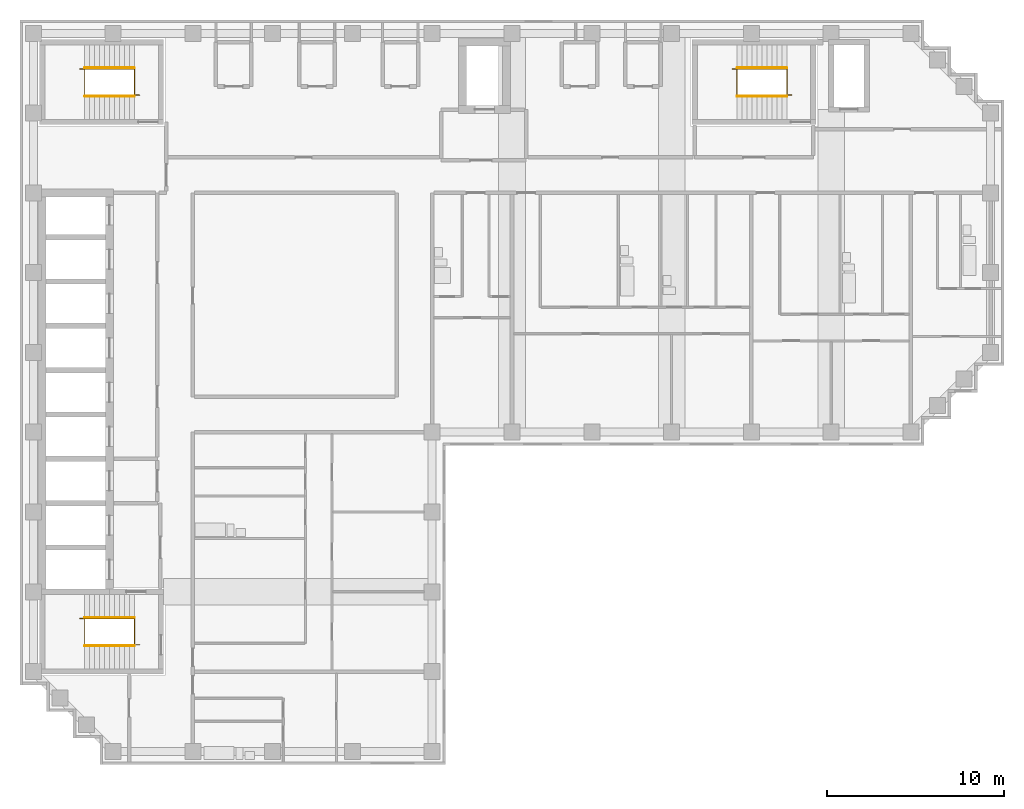
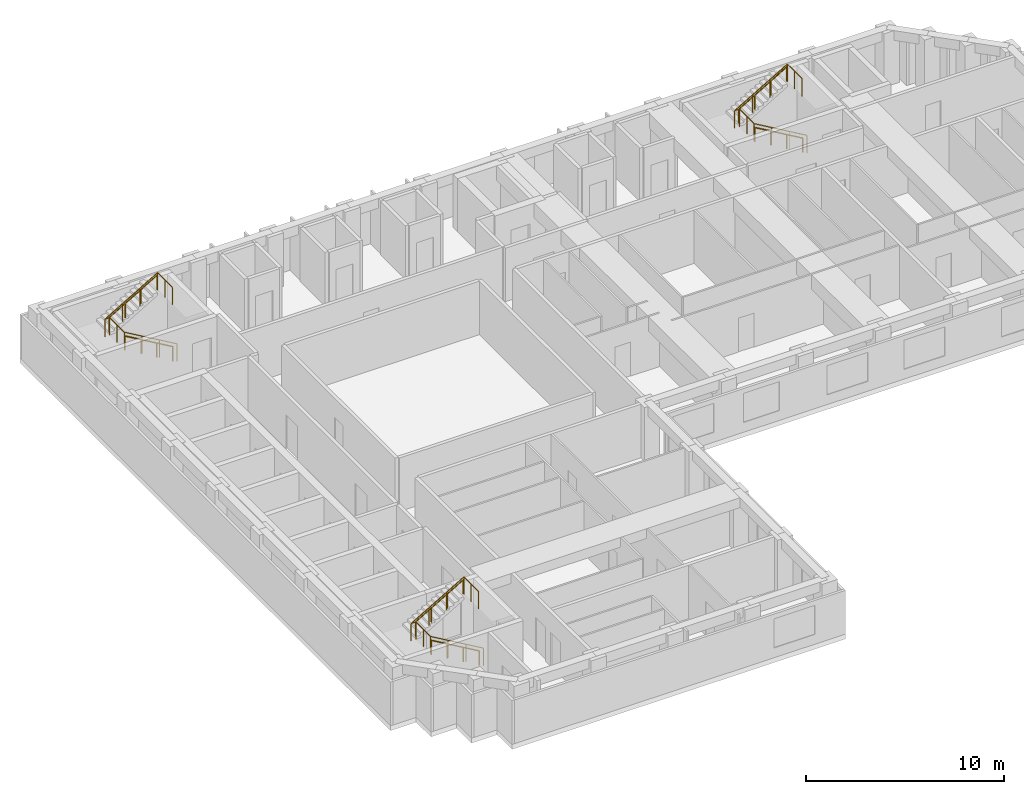
# One storey, part 8 of 9: 9 railings.
"""IFC4 building model written with IfcOpenShell, lengths in metres."""

from ifc_helpers import new_model, si_unit, direction, frame, origin, origin_2d, place, context, subcontext, project, spatial, circle, extrude, material, type_object, element, save


model = new_model("IFC4")

# Units and contexts
model_context = context("Model", 3, precision=1e-05, world=origin(), true_north=direction((0.0, 1.0)))
body_context = subcontext(model_context, "Body", "Model", "MODEL_VIEW")
ifc_project = project(units=[si_unit("LENGTHUNIT", "METRE"), si_unit("AREAUNIT", "SQUARE_METRE"), si_unit("VOLUMEUNIT", "CUBIC_METRE"), si_unit("PLANEANGLEUNIT", "RADIAN"), si_unit("MASSUNIT", "GRAM", prefix="KILO")], contexts=[model_context])

# Site, building, storey
site_placement = place(None, origin())
site = spatial("IfcSite", under=ifc_project, at=site_placement, CompositionType="ELEMENT")
building_placement = place(site_placement, origin())
building = spatial("IfcBuilding", under=site, at=building_placement, Name="Firuza Court", CompositionType="ELEMENT")
storey_placement = place(building_placement, frame((0.0, 0.0, 218.60009765625)))
storey = spatial("IfcBuildingStorey", under=building, at=storey_placement, Name="L56", CompositionType="ELEMENT", Elevation=218.60009765625)

# Railings
ifc_material_1 = material(Name="Steel S355", Category="steel")
railing_type_1 = type_object("IfcRailingType", Name="Handrail 900", PredefinedType="HANDRAIL", material=ifc_material_1)
railing_1_placement = place(storey_placement, frame((42.5, 54.949951171875, 0.16357421875)))
element("IfcRailing", 1, at=railing_1_placement, inside=storey, type_object=railing_type_1, Name="Handrail S1 flight 1", PredefinedType="HANDRAIL", context=body_context, shape_type="SweptSolid", body=[
    extrude(circle(Radius=0.02490234375, at=origin_2d()), frame((0.0, 0.0, 0.875), z_axis=(-0.863393664356, 0.0, 0.504530851732), x_axis=(0.0, -1.0, 0.0)), (0.0, 0.0, 1.0), 3.2431640625),
    extrude(circle(Radius=0.02001953125, at=origin_2d()), origin(), (0.0, 0.0, 1.0), 0.849853515625),
    extrude(circle(Radius=0.02001953125, at=origin_2d()), frame((-0.933349609375, 0.0, 0.54541015625)), (0.0, 0.0, 1.0), 0.849853515625),
    extrude(circle(Radius=0.02001953125, at=origin_2d()), frame((-1.86669921875, 0.0, 1.0908203125)), (0.0, 0.0, 1.0), 0.849853515625),
    extrude(circle(Radius=0.02001953125, at=origin_2d()), frame((-2.800048828125, 0.0, 1.63623046875)), (0.0, 0.0, 1.0), 0.849853515625),
])
railing_2_placement = place(storey_placement, frame((39.699951171875, 56.550048828125, 1.963623046875)))
element("IfcRailing", 2, at=railing_2_placement, inside=storey, type_object=railing_type_1, Name="Handrail S1 flight 2", PredefinedType="HANDRAIL", context=body_context, shape_type="SweptSolid", body=[
    extrude(circle(Radius=0.02490234375, at=origin_2d()), frame((0.0, 0.0, 0.875), z_axis=(0.863393664356, 0.0, 0.504530851732), x_axis=(0.0, 1.0, 0.0)), (0.0, 0.0, 1.0), 3.2431640625),
    extrude(circle(Radius=0.02001953125, at=origin_2d()), origin(), (0.0, 0.0, 1.0), 0.849853515625),
    extrude(circle(Radius=0.02001953125, at=origin_2d()), frame((0.933349609375, 0.0, 0.54541015625)), (0.0, 0.0, 1.0), 0.849853515625),
    extrude(circle(Radius=0.02001953125, at=origin_2d()), frame((1.86669921875, 0.0, 1.0908203125)), (0.0, 0.0, 1.0), 0.849853515625),
    extrude(circle(Radius=0.02001953125, at=origin_2d()), frame((2.800048828125, 0.0, 1.63623046875)), (0.0, 0.0, 1.0), 0.849853515625),
])
railing_3_placement = place(storey_placement, frame((5.699951171875, 23.949951171875, 0.16357421875)))
element("IfcRailing", 3, at=railing_3_placement, inside=storey, type_object=railing_type_1, Name="Handrail S2 flight 1", PredefinedType="HANDRAIL", context=body_context, shape_type="SweptSolid", body=[
    extrude(circle(Radius=0.02490234375, at=origin_2d()), frame((0.0, 0.0, 0.875), z_axis=(-0.863393664356, 0.0, 0.504530851732), x_axis=(0.0, -1.0, 0.0)), (0.0, 0.0, 1.0), 3.2431640625),
    extrude(circle(Radius=0.02001953125, at=origin_2d()), origin(), (0.0, 0.0, 1.0), 0.849853515625),
    extrude(circle(Radius=0.02001953125, at=origin_2d()), frame((-0.933349609375, 0.0, 0.54541015625)), (0.0, 0.0, 1.0), 0.849853515625),
    extrude(circle(Radius=0.02001953125, at=origin_2d()), frame((-1.86669921875, 0.0, 1.0908203125)), (0.0, 0.0, 1.0), 0.849853515625),
    extrude(circle(Radius=0.02001953125, at=origin_2d()), frame((-2.800048828125, 0.0, 1.63623046875)), (0.0, 0.0, 1.0), 0.849853515625),
])
railing_4_placement = place(storey_placement, frame((2.89990234375, 25.550048828125, 1.963623046875)))
element("IfcRailing", 4, at=railing_4_placement, inside=storey, type_object=railing_type_1, Name="Handrail S2 flight 2", PredefinedType="HANDRAIL", context=body_context, shape_type="SweptSolid", body=[
    extrude(circle(Radius=0.02490234375, at=origin_2d()), frame((0.0, 0.0, 0.875), z_axis=(0.863393664356, 0.0, 0.504530851732), x_axis=(0.0, 1.0, 0.0)), (0.0, 0.0, 1.0), 3.2431640625),
    extrude(circle(Radius=0.02001953125, at=origin_2d()), origin(), (0.0, 0.0, 1.0), 0.849853515625),
    extrude(circle(Radius=0.02001953125, at=origin_2d()), frame((0.933349609375, 0.0, 0.54541015625)), (0.0, 0.0, 1.0), 0.849853515625),
    extrude(circle(Radius=0.02001953125, at=origin_2d()), frame((1.86669921875, 0.0, 1.0908203125)), (0.0, 0.0, 1.0), 0.849853515625),
    extrude(circle(Radius=0.02001953125, at=origin_2d()), frame((2.800048828125, 0.0, 1.63623046875)), (0.0, 0.0, 1.0), 0.849853515625),
])
railing_5_placement = place(storey_placement, frame((5.699951171875, 54.949951171875, 0.16357421875)))
element("IfcRailing", 5, at=railing_5_placement, inside=storey, type_object=railing_type_1, Name="Handrail S3 flight 1", PredefinedType="HANDRAIL", context=body_context, shape_type="SweptSolid", body=[
    extrude(circle(Radius=0.02490234375, at=origin_2d()), frame((0.0, 0.0, 0.875), z_axis=(-0.863393664356, 0.0, 0.504530851732), x_axis=(0.0, -1.0, 0.0)), (0.0, 0.0, 1.0), 3.2431640625),
    extrude(circle(Radius=0.02001953125, at=origin_2d()), origin(), (0.0, 0.0, 1.0), 0.849853515625),
    extrude(circle(Radius=0.02001953125, at=origin_2d()), frame((-0.933349609375, 0.0, 0.54541015625)), (0.0, 0.0, 1.0), 0.849853515625),
    extrude(circle(Radius=0.02001953125, at=origin_2d()), frame((-1.86669921875, 0.0, 1.0908203125)), (0.0, 0.0, 1.0), 0.849853515625),
    extrude(circle(Radius=0.02001953125, at=origin_2d()), frame((-2.800048828125, 0.0, 1.63623046875)), (0.0, 0.0, 1.0), 0.849853515625),
])
railing_6_placement = place(storey_placement, frame((2.89990234375, 56.550048828125, 1.963623046875)))
element("IfcRailing", 6, at=railing_6_placement, inside=storey, type_object=railing_type_1, Name="Handrail S3 flight 2", PredefinedType="HANDRAIL", context=body_context, shape_type="SweptSolid", body=[
    extrude(circle(Radius=0.02490234375, at=origin_2d()), frame((0.0, 0.0, 0.875), z_axis=(0.863393664356, 0.0, 0.504530851732), x_axis=(0.0, 1.0, 0.0)), (0.0, 0.0, 1.0), 3.2431640625),
    extrude(circle(Radius=0.02001953125, at=origin_2d()), origin(), (0.0, 0.0, 1.0), 0.849853515625),
    extrude(circle(Radius=0.02001953125, at=origin_2d()), frame((0.933349609375, 0.0, 0.54541015625)), (0.0, 0.0, 1.0), 0.849853515625),
    extrude(circle(Radius=0.02001953125, at=origin_2d()), frame((1.86669921875, 0.0, 1.0908203125)), (0.0, 0.0, 1.0), 0.849853515625),
    extrude(circle(Radius=0.02001953125, at=origin_2d()), frame((2.800048828125, 0.0, 1.63623046875)), (0.0, 0.0, 1.0), 0.849853515625),
])
ifc_material_2 = material(Name="Steel S355", Category="steel")
railing_type_2 = type_object("IfcRailingType", Name="Stair guard 1100", PredefinedType="GUARDRAIL", material=ifc_material_2)
railing_7_placement = place(storey_placement, frame((42.780029296875, 55.010009765625, 0.0)))
element("IfcRailing", 7, at=railing_7_placement, inside=storey, type_object=railing_type_2, Name="Stair well guard S1", PredefinedType="GUARDRAIL", context=body_context, shape_type="SweptSolid", body=[
    extrude(circle(Radius=0.02490234375, at=origin_2d()), frame((0.0, 0.0, 1.0751953125), z_axis=(-0.863401368682, 0.0, 0.504517667242), x_axis=(0.0, -1.0, 0.0)), (0.0, 0.0, 1.0), 3.5673828125),
    extrude(circle(Radius=0.02490234375, at=origin_2d()), frame((-3.080078125, 0.0, 2.875), z_axis=(0.0, 1.0, 0.0), x_axis=(-1.0, 0.0, 0.0)), (0.0, 0.0, 1.0), 1.47998046875),
    extrude(circle(Radius=0.02490234375, at=origin_2d()), frame((-3.080078125, 1.47998046875, 2.875), z_axis=(-1.0, 0.0, 0.0), x_axis=(0.0, -1.0, 0.0)), (0.0, 0.0, 1.0), 0.280029296875),
    extrude(circle(Radius=0.02490234375, at=origin_2d()), frame((-3.360107421875, 1.47998046875, 2.875), z_axis=(0.863371556955, 0.0, 0.504568681787), x_axis=(0.0, 1.0, 0.0)), (0.0, 0.0, 1.0), 3.5673828125),
    extrude(circle(Radius=0.02490234375, at=origin_2d()), frame((-0.280029296875, 1.47998046875, 4.6748046875), z_axis=(0.0, -1.0, 0.0), x_axis=(1.0, 0.0, 0.0)), (0.0, 0.0, 1.0), 1.47998046875),
    extrude(circle(Radius=0.02490234375, at=origin_2d()), origin(), (0.0, 0.0, 1.0), 1.050048828125),
    extrude(circle(Radius=0.02490234375, at=origin_2d()), frame((-1.026611328125, 0.0, 0.599853515625)), (0.0, 0.0, 1.0), 1.050048828125),
    extrude(circle(Radius=0.02490234375, at=origin_2d()), frame((-2.053466796875, 0.0, 1.199951171875)), (0.0, 0.0, 1.0), 1.050048828125),
    extrude(circle(Radius=0.02490234375, at=origin_2d()), frame((-3.080078125, 0.0, 1.7998046875)), (0.0, 0.0, 1.0), 1.050048828125),
    extrude(circle(Radius=0.02490234375, at=origin_2d()), frame((-3.080078125, 0.739990234375, 1.7998046875)), (0.0, 0.0, 1.0), 1.050048828125),
    extrude(circle(Radius=0.02490234375, at=origin_2d()), frame((-3.080078125, 1.47998046875, 1.7998046875)), (0.0, 0.0, 1.0), 1.050048828125),
    extrude(circle(Radius=0.02490234375, at=origin_2d()), frame((-3.360107421875, 1.47998046875, 1.7998046875)), (0.0, 0.0, 1.0), 1.050048828125),
    extrude(circle(Radius=0.02490234375, at=origin_2d()), frame((-2.33349609375, 1.47998046875, 2.39990234375)), (0.0, 0.0, 1.0), 1.050048828125),
    extrude(circle(Radius=0.02490234375, at=origin_2d()), frame((-1.306640625, 1.47998046875, 2.999755859375)), (0.0, 0.0, 1.0), 1.050048828125),
    extrude(circle(Radius=0.02490234375, at=origin_2d()), frame((-0.280029296875, 1.47998046875, 3.599853515625)), (0.0, 0.0, 1.0), 1.050048828125),
    extrude(circle(Radius=0.02490234375, at=origin_2d()), frame((-0.280029296875, 0.739990234375, 3.599853515625)), (0.0, 0.0, 1.0), 1.050048828125),
    extrude(circle(Radius=0.02490234375, at=origin_2d()), frame((-0.280029296875, 0.0, 3.599853515625)), (0.0, 0.0, 1.0), 1.050048828125),
])
railing_8_placement = place(storey_placement, frame((5.97998046875, 24.010009765625, 0.0)))
element("IfcRailing", 8, at=railing_8_placement, inside=storey, type_object=railing_type_2, Name="Stair well guard S2", PredefinedType="GUARDRAIL", context=body_context, shape_type="SweptSolid", body=[
    extrude(circle(Radius=0.02490234375, at=origin_2d()), frame((0.0, 0.0, 1.0751953125), z_axis=(-0.863401368682, 0.0, 0.504517667242), x_axis=(0.0, -1.0, 0.0)), (0.0, 0.0, 1.0), 3.5673828125),
    extrude(circle(Radius=0.02490234375, at=origin_2d()), frame((-3.080078125, 0.0, 2.875), z_axis=(0.0, 1.0, 0.0), x_axis=(-1.0, 0.0, 0.0)), (0.0, 0.0, 1.0), 1.47998046875),
    extrude(circle(Radius=0.02490234375, at=origin_2d()), frame((-3.080078125, 1.47998046875, 2.875), z_axis=(-1.0, 0.0, 0.0), x_axis=(0.0, -1.0, 0.0)), (0.0, 0.0, 1.0), 0.27978515625),
    extrude(circle(Radius=0.02490234375, at=origin_2d()), frame((-3.35986328125, 1.47998046875, 2.875), z_axis=(0.863354132664, 0.0, 0.504598495452), x_axis=(0.0, 1.0, 0.0)), (0.0, 0.0, 1.0), 3.5673828125),
    extrude(circle(Radius=0.02490234375, at=origin_2d()), frame((-0.280029296875, 1.47998046875, 4.6748046875), z_axis=(0.0, -1.0, 0.0), x_axis=(1.0, 0.0, 0.0)), (0.0, 0.0, 1.0), 1.47998046875),
    extrude(circle(Radius=0.02490234375, at=origin_2d()), origin(), (0.0, 0.0, 1.0), 1.050048828125),
    extrude(circle(Radius=0.02490234375, at=origin_2d()), frame((-1.026611328125, 0.0, 0.599853515625)), (0.0, 0.0, 1.0), 1.050048828125),
    extrude(circle(Radius=0.02490234375, at=origin_2d()), frame((-2.053466796875, 0.0, 1.199951171875)), (0.0, 0.0, 1.0), 1.050048828125),
    extrude(circle(Radius=0.02490234375, at=origin_2d()), frame((-3.080078125, 0.0, 1.7998046875)), (0.0, 0.0, 1.0), 1.050048828125),
    extrude(circle(Radius=0.02490234375, at=origin_2d()), frame((-3.080078125, 0.739990234375, 1.7998046875)), (0.0, 0.0, 1.0), 1.050048828125),
    extrude(circle(Radius=0.02490234375, at=origin_2d()), frame((-3.080078125, 1.47998046875, 1.7998046875)), (0.0, 0.0, 1.0), 1.050048828125),
    extrude(circle(Radius=0.02490234375, at=origin_2d()), frame((-3.35986328125, 1.47998046875, 1.7998046875)), (0.0, 0.0, 1.0), 1.050048828125),
    extrude(circle(Radius=0.02490234375, at=origin_2d()), frame((-2.333251953125, 1.47998046875, 2.39990234375)), (0.0, 0.0, 1.0), 1.050048828125),
    extrude(circle(Radius=0.02490234375, at=origin_2d()), frame((-1.306640625, 1.47998046875, 2.999755859375)), (0.0, 0.0, 1.0), 1.050048828125),
    extrude(circle(Radius=0.02490234375, at=origin_2d()), frame((-0.280029296875, 1.47998046875, 3.599853515625)), (0.0, 0.0, 1.0), 1.050048828125),
    extrude(circle(Radius=0.02490234375, at=origin_2d()), frame((-0.280029296875, 0.739990234375, 3.599853515625)), (0.0, 0.0, 1.0), 1.050048828125),
    extrude(circle(Radius=0.02490234375, at=origin_2d()), frame((-0.280029296875, 0.0, 3.599853515625)), (0.0, 0.0, 1.0), 1.050048828125),
])
railing_9_placement = place(storey_placement, frame((5.97998046875, 55.010009765625, 0.0)))
element("IfcRailing", 9, at=railing_9_placement, inside=storey, type_object=railing_type_2, Name="Stair well guard S3", PredefinedType="GUARDRAIL", context=body_context, shape_type="SweptSolid", body=[
    extrude(circle(Radius=0.02490234375, at=origin_2d()), frame((0.0, 0.0, 1.0751953125), z_axis=(-0.863401368682, 0.0, 0.504517667242), x_axis=(0.0, -1.0, 0.0)), (0.0, 0.0, 1.0), 3.5673828125),
    extrude(circle(Radius=0.02490234375, at=origin_2d()), frame((-3.080078125, 0.0, 2.875), z_axis=(0.0, 1.0, 0.0), x_axis=(-1.0, 0.0, 0.0)), (0.0, 0.0, 1.0), 1.47998046875),
    extrude(circle(Radius=0.02490234375, at=origin_2d()), frame((-3.080078125, 1.47998046875, 2.875), z_axis=(-1.0, 0.0, 0.0), x_axis=(0.0, -1.0, 0.0)), (0.0, 0.0, 1.0), 0.27978515625),
    extrude(circle(Radius=0.02490234375, at=origin_2d()), frame((-3.35986328125, 1.47998046875, 2.875), z_axis=(0.863354132664, 0.0, 0.504598495452), x_axis=(0.0, 1.0, 0.0)), (0.0, 0.0, 1.0), 3.5673828125),
    extrude(circle(Radius=0.02490234375, at=origin_2d()), frame((-0.280029296875, 1.47998046875, 4.6748046875), z_axis=(0.0, -1.0, 0.0), x_axis=(1.0, 0.0, 0.0)), (0.0, 0.0, 1.0), 1.47998046875),
    extrude(circle(Radius=0.02490234375, at=origin_2d()), origin(), (0.0, 0.0, 1.0), 1.050048828125),
    extrude(circle(Radius=0.02490234375, at=origin_2d()), frame((-1.026611328125, 0.0, 0.599853515625)), (0.0, 0.0, 1.0), 1.050048828125),
    extrude(circle(Radius=0.02490234375, at=origin_2d()), frame((-2.053466796875, 0.0, 1.199951171875)), (0.0, 0.0, 1.0), 1.050048828125),
    extrude(circle(Radius=0.02490234375, at=origin_2d()), frame((-3.080078125, 0.0, 1.7998046875)), (0.0, 0.0, 1.0), 1.050048828125),
    extrude(circle(Radius=0.02490234375, at=origin_2d()), frame((-3.080078125, 0.739990234375, 1.7998046875)), (0.0, 0.0, 1.0), 1.050048828125),
    extrude(circle(Radius=0.02490234375, at=origin_2d()), frame((-3.080078125, 1.47998046875, 1.7998046875)), (0.0, 0.0, 1.0), 1.050048828125),
    extrude(circle(Radius=0.02490234375, at=origin_2d()), frame((-3.35986328125, 1.47998046875, 1.7998046875)), (0.0, 0.0, 1.0), 1.050048828125),
    extrude(circle(Radius=0.02490234375, at=origin_2d()), frame((-2.333251953125, 1.47998046875, 2.39990234375)), (0.0, 0.0, 1.0), 1.050048828125),
    extrude(circle(Radius=0.02490234375, at=origin_2d()), frame((-1.306640625, 1.47998046875, 2.999755859375)), (0.0, 0.0, 1.0), 1.050048828125),
    extrude(circle(Radius=0.02490234375, at=origin_2d()), frame((-0.280029296875, 1.47998046875, 3.599853515625)), (0.0, 0.0, 1.0), 1.050048828125),
    extrude(circle(Radius=0.02490234375, at=origin_2d()), frame((-0.280029296875, 0.739990234375, 3.599853515625)), (0.0, 0.0, 1.0), 1.050048828125),
    extrude(circle(Radius=0.02490234375, at=origin_2d()), frame((-0.280029296875, 0.0, 3.599853515625)), (0.0, 0.0, 1.0), 1.050048828125),
])

save(model, "model.ifc")
